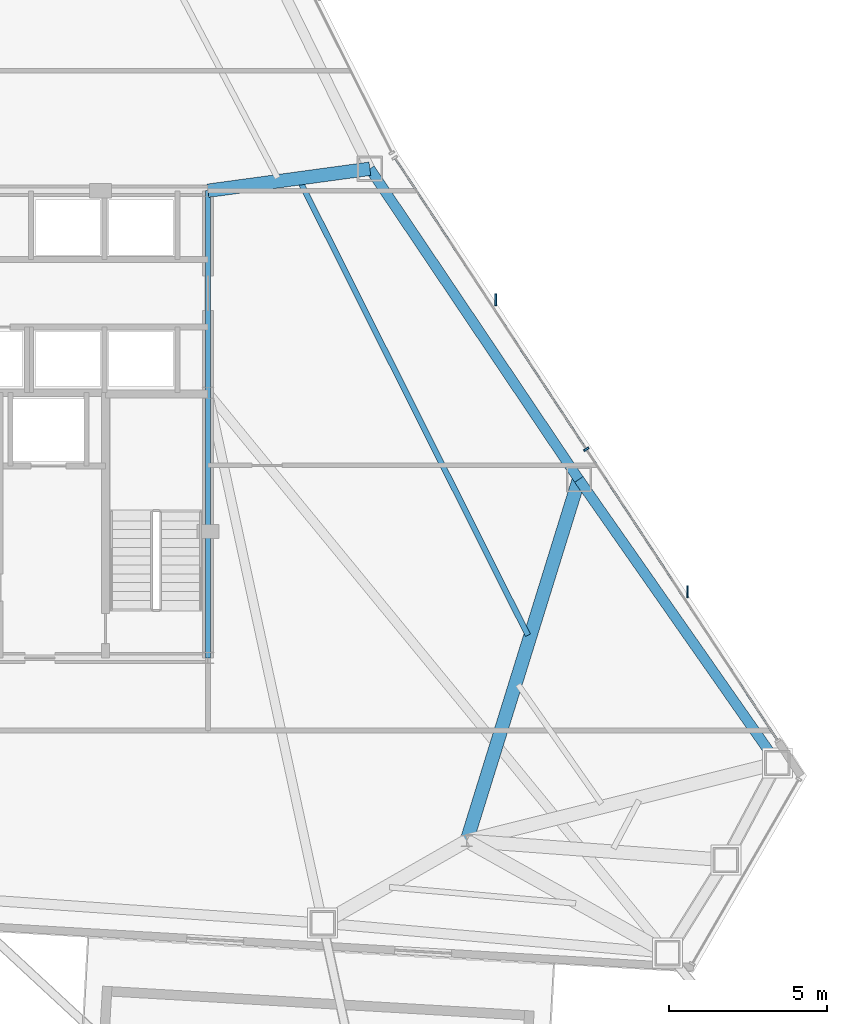
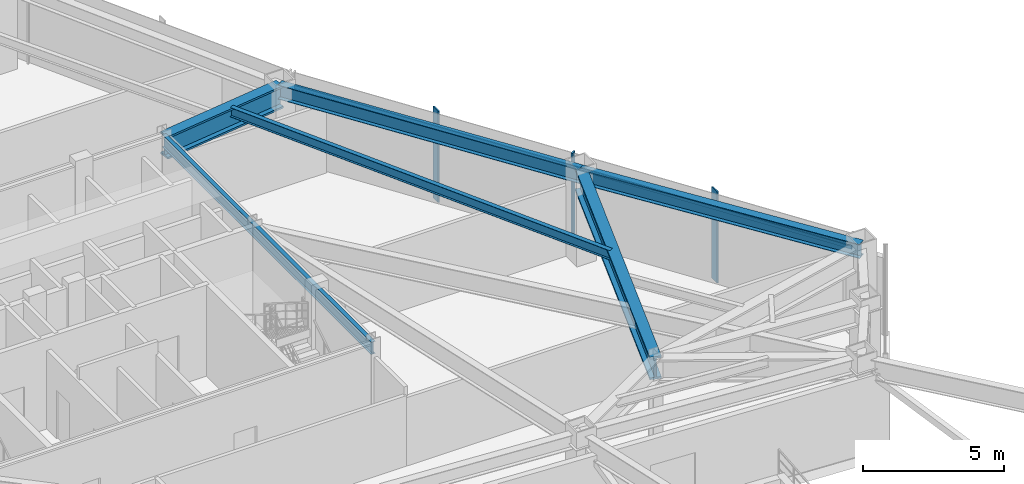
# One storey, part 6 of 13: 6 beams, 4 members, 1 element without a shape of its own.
"""IFC4 building model written with IfcOpenShell, lengths in metres."""

from ifc_helpers import new_model, si_unit, direction, frame, origin, origin_2d, place, context, subcontext, project, spatial, rectangle, i_section, extrude, source, transform, mapped, material, layer, layer_set, material_profile, profile_set, type_object, type_shapes, element, aggregate, save


model = new_model("IFC4")

# Units and contexts
model_context = context("Model", 3, precision=1e-05, world=origin(), true_north=direction((0.0, 1.0)))
body_context = subcontext(model_context, "Body", "Model", "MODEL_VIEW")
ifc_project = project(units=[si_unit("LENGTHUNIT", "METRE"), si_unit("AREAUNIT", "SQUARE_METRE"), si_unit("VOLUMEUNIT", "CUBIC_METRE"), si_unit("PLANEANGLEUNIT", "RADIAN"), si_unit("MASSUNIT", "GRAM", prefix="KILO")], contexts=[model_context])

# Site, building, storey
site_placement = place(None, origin())
site = spatial("IfcSite", under=ifc_project, at=site_placement, CompositionType="ELEMENT")
building_placement = place(site_placement, origin())
building = spatial("IfcBuilding", under=site, at=building_placement, Name="Varakhsha Concourse Tower", CompositionType="ELEMENT")
storey_placement = place(building_placement, frame((0.0, 0.0, 196.5)))
storey = spatial("IfcBuildingStorey", under=building, at=storey_placement, Name="L56", CompositionType="ELEMENT", Elevation=196.5)

# Beams
ifc_material_1 = material(Name="Structural Steel ASTM A992 Grade 50", Category="steel")
ifc_material_profile_1 = material_profile(ifc_material_1, i_section(OverallWidth=0.177978515625, OverallDepth=0.406982421875, WebThickness=0.008056640625, FlangeThickness=0.012939453125, at=origin_2d()), Name="W16X40")
ifc_profile_set_1 = profile_set([ifc_material_profile_1], Name="Structural Steel ASTM A992 Grade 50")
beam_type_1 = type_object("IfcBeamType", Name="BM-JST-W16X40", PredefinedType="JOIST", material=ifc_profile_set_1)
beam_1_placement = place(storey_placement, frame((58.34130859375, 17.11181640625, 3.736572265625), z_axis=(-0.44862718249, 0.893719000095, 0.0), x_axis=(-0.893719000095, -0.44862718249, 0.0)))
element("IfcBeam", 1, at=beam_1_placement, inside=storey, type_object=beam_type_1, Name="BM-TJST-L56-16", PredefinedType="JOIST", context=body_context, shape_type="SweptSolid", body=[
    extrude(i_section(OverallWidth=0.177978515625, OverallDepth=0.406982421875, WebThickness=0.008056640625, FlangeThickness=0.012939453125, at=origin_2d()), origin(), (0.0, 0.0, 1.0), 16.09033203125),
])
ifc_material_profile_2 = material_profile(ifc_material_1, i_section(OverallWidth=0.1669921875, OverallDepth=0.534912109375, WebThickness=0.010009765625, FlangeThickness=0.01708984375, at=origin_2d()), Name="W21X57")
ifc_profile_set_2 = profile_set([ifc_material_profile_2], Name="Structural Steel ASTM A992 Grade 50")
beam_type_2 = type_object("IfcBeamType", Name="BM-RAD-W21X57", PredefinedType="BEAM", material=ifc_profile_set_2)
beam_2_placement = place(storey_placement, frame((48.199951171875, 16.39990234375, 3.672607421875), z_axis=(0.0, 1.0, 0.0), x_axis=(-1.0, 0.0, 0.0)))
element("IfcBeam", 2, at=beam_2_placement, inside=storey, type_object=beam_type_2, Name="BM-TCORE-L56-CE", PredefinedType="BEAM", context=body_context, shape_type="SweptSolid", body=[
    extrude(i_section(OverallWidth=0.1669921875, OverallDepth=0.534912109375, WebThickness=0.010009765625, FlangeThickness=0.01708984375, at=origin_2d()), origin(), (0.0, 0.0, 1.0), 14.800048828125),
])
ifc_material_profile_3 = material_profile(ifc_material_1, i_section(OverallWidth=0.323974609375, OverallDepth=0.611083984375, WebThickness=0.012939453125, FlangeThickness=0.01904296875, at=origin_2d()), Name="W24X104")
ifc_profile_set_3 = profile_set([ifc_material_profile_3], Name="Structural Steel ASTM A992 Grade 50")
beam_type_3 = type_object("IfcBeamType", Name="BM-SPAN-W24X104", PredefinedType="SPANDREL", material=ifc_profile_set_3)
beam_3_placement = place(storey_placement, frame((66.2412109375, 13.06396484375, 3.634521484375), z_axis=(-0.573120208944, 0.819471308894, 0.0), x_axis=(-0.819471308894, -0.573120208944, 0.0)))
element("IfcBeam", 3, at=beam_3_placement, inside=storey, type_object=beam_type_3, Name="BM-SPAN-L56-15", PredefinedType="SPANDREL", context=body_context, shape_type="SweptSolid", body=[
    extrude(i_section(OverallWidth=0.323974609375, OverallDepth=0.611083984375, WebThickness=0.012939453125, FlangeThickness=0.01904296875, at=origin_2d()), origin(), (0.0, 0.0, 1.0), 10.96875),
])
beam_4_placement = place(storey_placement, frame((59.954833984375, 22.052490234375, 3.634521484375), z_axis=(-0.558227944039, 0.829687629469, 0.0), x_axis=(-0.829687629469, -0.558227944039, 0.0)))
element("IfcBeam", 4, at=beam_4_placement, inside=storey, type_object=beam_type_3, Name="BM-SPAN-L56-16", PredefinedType="SPANDREL", context=body_context, shape_type="SweptSolid", body=[
    extrude(i_section(OverallWidth=0.323974609375, OverallDepth=0.611083984375, WebThickness=0.012939453125, FlangeThickness=0.01904296875, at=origin_2d()), origin(), (0.0, 0.0, 1.0), 11.865234375),
])
ifc_material_profile_4 = material_profile(ifc_material_1, i_section(OverallWidth=0.427978515625, OverallDepth=0.97509765625, WebThickness=0.050048828125, FlangeThickness=0.0810546875, at=origin_2d()), Name="W36X395")
ifc_profile_set_4 = profile_set([ifc_material_profile_4], Name="Structural Steel ASTM A992 Grade 50")
beam_type_4 = type_object("IfcBeamType", Name="BM-XFER-W36X395", PredefinedType="USERDEFINED", material=ifc_profile_set_4)
beam_5_placement = place(storey_placement, frame((56.39990234375, 10.60009765625, 3.452392578125), z_axis=(0.296455567501, 0.955046646242, 0.0), x_axis=(-0.955046646242, 0.296455567501, 0.0)))
element("IfcBeam", 5, at=beam_5_placement, inside=storey, type_object=beam_type_4, Name="L56 Radial Floor Girder 16", ObjectType="GIRDER", PredefinedType="USERDEFINED", context=body_context, shape_type="SweptSolid", body=[
    extrude(i_section(OverallWidth=0.427978515625, OverallDepth=0.97509765625, WebThickness=0.050048828125, FlangeThickness=0.0810546875, at=origin_2d()), origin(), (0.0, 0.0, 1.0), 11.991455078125),
])
beam_6_placement = place(storey_placement, frame((48.199951171875, 31.199951171875, 3.452392578125), z_axis=(0.990900035804, 0.134599847855, 0.0), x_axis=(-0.134599847855, 0.990900035804, 0.0)))
element("IfcBeam", 6, at=beam_6_placement, inside=storey, type_object=beam_type_4, Name="L56 Radial Floor Girder 17", ObjectType="GIRDER", PredefinedType="USERDEFINED", context=body_context, shape_type="SweptSolid", body=[
    extrude(i_section(OverallWidth=0.427978515625, OverallDepth=0.97509765625, WebThickness=0.050048828125, FlangeThickness=0.0810546875, at=origin_2d()), origin(), (0.0, 0.0, 1.0), 5.178466796875),
])

# Curtain wall, members
ifc_material_2 = material(Name="Anodised Bronze Architectural Aluminium AA 6063-T6", Category="aluminium")
ifc_layer = layer(ifc_material_2, 0.2099609375, Name="CW-SYS-04")
ifc_layer_set = layer_set([ifc_layer], Name="Anodised Bronze Architectural Aluminium AA 6063-T6")
curtain_wall_type = type_object("IfcCurtainWallType", Name="CW-SYS-04", PredefinedType="NOTDEFINED", material=ifc_layer_set)
curtain_wall_placement = place(storey_placement, origin())
curtain_wall = element("IfcCurtainWall", 7, at=curtain_wall_placement, inside=storey, type_object=curtain_wall_type, Name="L56 Crystal Curtain Wall F8", PredefinedType="NOTDEFINED")
ifc_material_profile_5 = material_profile(ifc_material_2, rectangle(XDim=0.06494140625, YDim=0.179931640625, at=origin_2d()), Name="CWM-180X65")
ifc_profile_set_5 = profile_set([ifc_material_profile_5], Name="Anodised Bronze Architectural Aluminium AA 6063-T6")
member_type_1 = type_object("IfcMemberType", Name="CWM-180X65", PredefinedType="MULLION", material=ifc_profile_set_5)
shared_shape_1 = source(origin(), body_context, "Body", "SweptSolid", [
    extrude(rectangle(XDim=0.06494140625, YDim=0.179931640625, at=origin_2d()), origin(), (0.0, 0.0, 1.0), 3.93994140625),
])
type_shapes(member_type_1, [shared_shape_1])
member_1_placement = place(storey_placement, frame((60.188720703125, 23.0078125, 0.0), z_axis=(0.0, 0.0, 1.0), x_axis=(0.549079708329, -0.835769988634, 0.0)))
member_1 = element("IfcMember", 8, at=member_1_placement, type_object=member_type_1, Name="CW-L56-F8 Mullion 01", PredefinedType="MULLION", context=body_context, shape_type="MappedRepresentation", body=[
    mapped(shared_shape_1, transform((0.0, 0.0, 0.0), scale=1.0)),
])
ifc_material_profile_6 = material_profile(ifc_material_2, rectangle(XDim=0.06005859375, YDim=0.3798828125, at=origin_2d()), Name="FIN-BRZ-380")
ifc_profile_set_6 = profile_set([ifc_material_profile_6], Name="Anodised Bronze Architectural Aluminium AA 6063-T6")
member_type_2 = type_object("IfcMemberType", Name="FIN-BRZ-380", PredefinedType="USERDEFINED", material=ifc_profile_set_6)
shared_shape_2 = source(origin(), body_context, "Body", "SweptSolid", [
    extrude(rectangle(XDim=0.06005859375, YDim=0.3798828125, at=origin_2d()), origin(), (0.0, 0.0, 1.0), 3.93994140625),
])
type_shapes(member_type_2, [shared_shape_2])
member_2_placement = place(storey_placement, frame((57.32470703125, 27.740478515625, 0.0), z_axis=(0.0, 0.0, 1.0), x_axis=(1.0, 0.0, 0.0)))
member_2 = element("IfcMember", 9, at=member_2_placement, type_object=member_type_2, Name="L56 Anodised Bronze Solar Fin F8-1", ObjectType="SOLAR FIN", PredefinedType="USERDEFINED", context=body_context, shape_type="MappedRepresentation", body=[
    mapped(shared_shape_2, transform((0.0, 0.0, 0.0), scale=1.0)),
])
member_3_placement = place(storey_placement, frame((63.395263671875, 18.500244140625, 0.0), z_axis=(0.0, 0.0, 1.0), x_axis=(1.0, 0.0, 0.0)))
member_3 = element("IfcMember", 10, at=member_3_placement, type_object=member_type_2, Name="L56 Anodised Bronze Solar Fin F8-2", ObjectType="SOLAR FIN", PredefinedType="USERDEFINED", context=body_context, shape_type="MappedRepresentation", body=[
    mapped(shared_shape_2, transform((0.0, 0.0, 0.0), scale=1.0)),
])
ifc_material_profile_7 = material_profile(ifc_material_2, rectangle(XDim=0.06005859375, YDim=0.139892578125, at=origin_2d()), Name="CWT-140X60")
ifc_profile_set_7 = profile_set([ifc_material_profile_7], Name="Anodised Bronze Architectural Aluminium AA 6063-T6")
member_type_3 = type_object("IfcMemberType", Name="CWT-140X60", PredefinedType="USERDEFINED", material=ifc_profile_set_7)
shared_shape_3 = source(origin(), body_context, "Body", "SweptSolid", [
    extrude(rectangle(XDim=0.06005859375, YDim=0.139892578125, at=origin_2d()), origin(), (0.0, 0.0, 1.0), 22.1123046875),
])
type_shapes(member_type_3, [shared_shape_3])
member_4_placement = place(storey_placement, frame((54.117919921875, 32.248291015625, 3.2900390625), z_axis=(0.549079621804, -0.835770045479, 0.0), x_axis=(0.835770045479, 0.549079621804, 0.0)))
member_4 = element("IfcMember", 11, at=member_4_placement, type_object=member_type_3, Name="CW-L56-F8 Transom 01", ObjectType="TRANSOM", PredefinedType="USERDEFINED", context=body_context, shape_type="MappedRepresentation", body=[
    mapped(shared_shape_3, transform((0.0, 0.0, 0.0), scale=1.0)),
])
aggregate(curtain_wall, [member_1, member_4, member_2, member_3])

save(model, "model.ifc")
